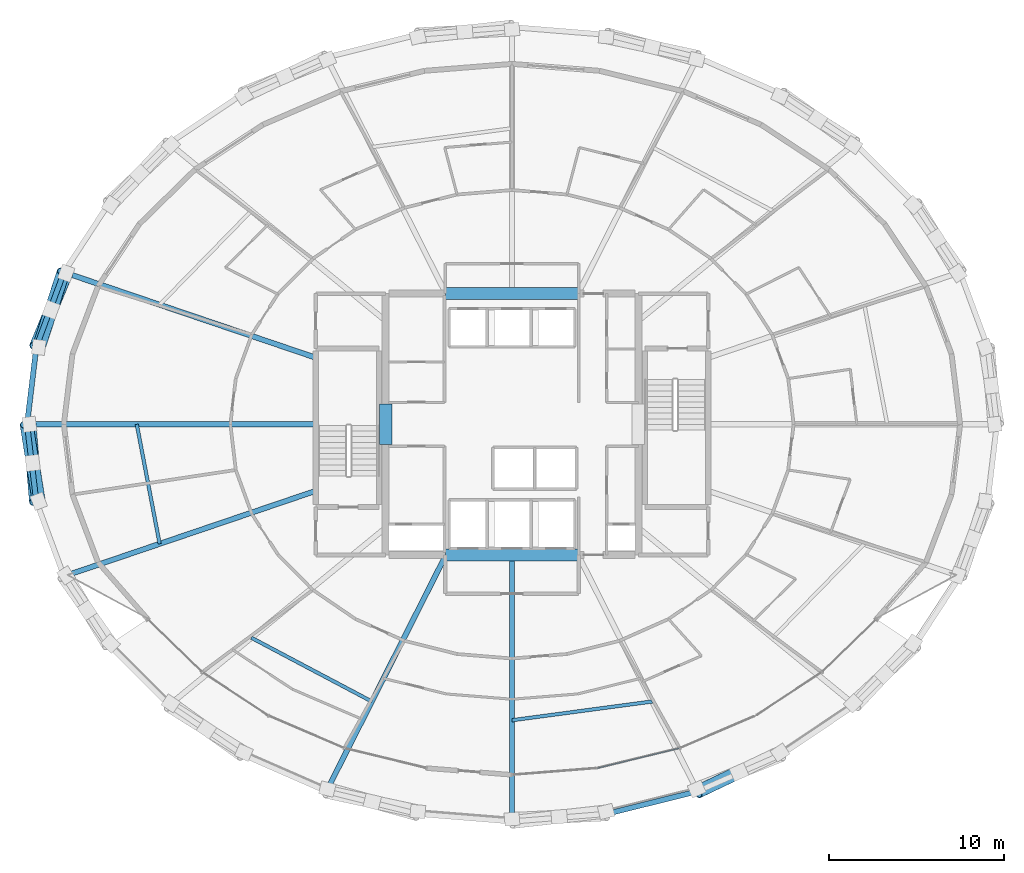
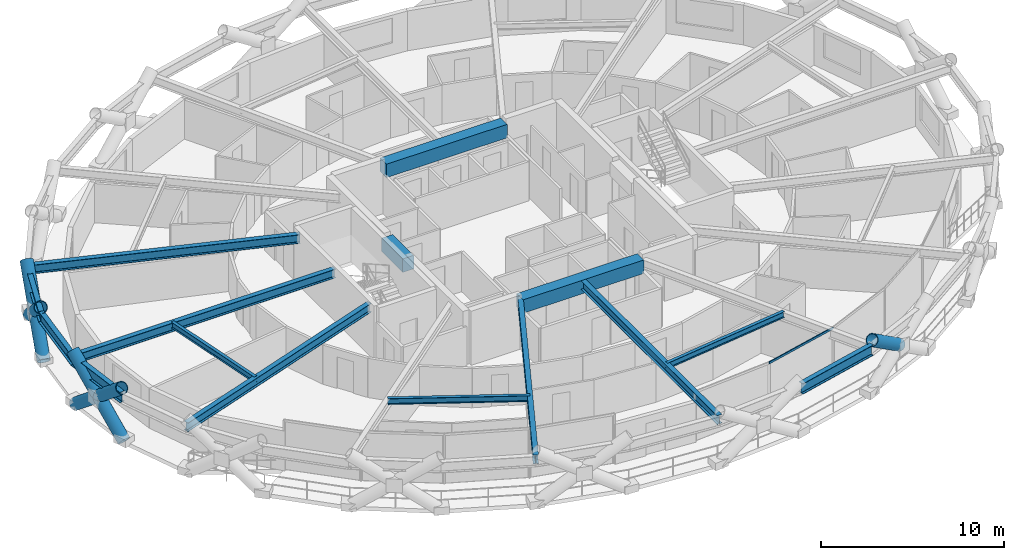
# One storey, part 5 of 17: 15 beams, 8 members, 1 element without a shape of its own.
"""IFC4 building model written with IfcOpenShell, lengths in metres."""

from ifc_helpers import new_model, si_unit, direction, frame, origin, origin_2d, place, context, subcontext, project, spatial, rectangle, hollow_rectangle, hollow_circle, i_section, extrude, material, layer, layer_set, material_profile, profile_set, type_object, element, aggregate, save


model = new_model("IFC4")

# Units and contexts
model_context = context("Model", 3, precision=1e-05, world=origin(), true_north=direction((0.0, 1.0)))
body_context = subcontext(model_context, "Body", "Model", "MODEL_VIEW")
ifc_project = project(units=[si_unit("LENGTHUNIT", "METRE"), si_unit("AREAUNIT", "SQUARE_METRE"), si_unit("VOLUMEUNIT", "CUBIC_METRE"), si_unit("PLANEANGLEUNIT", "RADIAN"), si_unit("MASSUNIT", "GRAM", prefix="KILO")], contexts=[model_context])

# Site, building, storey
site_placement = place(None, origin())
site = spatial("IfcSite", under=ifc_project, at=site_placement, CompositionType="ELEMENT")
building_placement = place(site_placement, origin())
building = spatial("IfcBuilding", under=site, at=building_placement, Name="Veldorina Hangang Commons", CompositionType="ELEMENT")
storey_placement = place(building_placement, frame((0.0, 0.0, 30.39990234375)))
storey = spatial("IfcBuildingStorey", under=building, at=storey_placement, Name="L06", CompositionType="ELEMENT", Elevation=30.39990234375)

# Beams
ifc_material_1 = material(Name="Concrete C70/85", Category="concrete")
ifc_material_profile_1 = material_profile(ifc_material_1, rectangle(XDim=0.699951171875, YDim=0.89990234375, at=origin_2d()), Name="RC-CB-700x900")
ifc_profile_set_1 = profile_set([ifc_material_profile_1], Name="Concrete C70/85")
beam_type_1 = type_object("IfcBeamType", Name="BM-CB900", PredefinedType="LINTEL", material=ifc_profile_set_1)
beam_1_placement = place(storey_placement, frame((24.800048828125, 22.85009765625, 2.89013671875), z_axis=(0.0, 1.0, 0.0), x_axis=(-1.0, 0.0, 0.0)))
element("IfcBeam", 1, at=beam_1_placement, inside=storey, type_object=beam_type_1, Name="L06 W core coupling lintel beam", PredefinedType="LINTEL", context=body_context, shape_type="SweptSolid", body=[
    extrude(rectangle(XDim=0.699951171875, YDim=0.89990234375, at=origin_2d()), origin(), (0.0, 0.0, 1.0), 2.2998046875),
])
for number, where, z_axis, x_axis, name in (
    (2, (28.199951171875, 16.550048828125, 2.89013671875), (1.0, 0.0, 0.0), (0.0, 1.0, 0.0), "L06 south core coupling beam"),
    (3, (28.199951171875, 31.449951171875, 2.89013671875), (1.0, 0.0, 0.0), (0.0, 1.0, 0.0), "L06 north core coupling beam"),
):
    element("IfcBeam", number, at=place(storey_placement, frame(where, z_axis=z_axis, x_axis=x_axis)), inside=storey, type_object=beam_type_1, Name=name, PredefinedType="LINTEL", context=body_context, shape_type="SweptSolid", body=[
        extrude(rectangle(XDim=0.699951171875, YDim=0.89990234375, at=origin_2d()), origin(), (0.0, 0.0, 1.0), 7.60009765625),
    ])
ifc_material_2 = material(Name="Steel SM460-TMC", Category="steel")
ifc_material_profile_2 = material_profile(ifc_material_2, i_section(OverallWidth=0.300048828125, OverallDepth=0.587890625, WebThickness=0.011962890625, FlangeThickness=0.02001953125, FilletRadius=0.01806640625, at=origin_2d()), Name="H-588x300x12x20")
ifc_profile_set_2 = profile_set([ifc_material_profile_2], Name="Steel SM460-TMC")
beam_type_2 = type_object("IfcBeamType", Name="BM-FG588", PredefinedType="BEAM", material=ifc_profile_set_2)
beam_2_placement = place(storey_placement, frame((20.820068359375, 27.793212890625, 3.046142578125), z_axis=(-0.946978700315, 0.32129634475, 0.0), x_axis=(-0.32129634475, -0.946978700315, 0.0)))
element("IfcBeam", 4, at=beam_2_placement, inside=storey, type_object=beam_type_2, Name="L06 radial floor girder 08", PredefinedType="BEAM", context=body_context, shape_type="SweptSolid", body=[
    extrude(i_section(OverallWidth=0.300048828125, OverallDepth=0.587890625, WebThickness=0.011962890625, FlangeThickness=0.02001953125, FilletRadius=0.01806640625, at=origin_2d()), origin(), (0.0, 0.0, 1.0), 15.1591796875),
])
beam_3_placement = place(storey_placement, frame((20.820068359375, 24.0, 3.046142578125), z_axis=(-1.0, 0.0, 0.0), x_axis=(0.0, -1.0, 0.0)))
element("IfcBeam", 5, at=beam_3_placement, inside=storey, type_object=beam_type_2, Name="L06 radial floor girder 09", PredefinedType="BEAM", context=body_context, shape_type="SweptSolid", body=[
    extrude(i_section(OverallWidth=0.300048828125, OverallDepth=0.587890625, WebThickness=0.011962890625, FlangeThickness=0.02001953125, FilletRadius=0.01806640625, at=origin_2d()), origin(), (0.0, 0.0, 1.0), 16.45947265625),
])
beam_4_placement = place(storey_placement, frame((20.820068359375, 20.206787109375, 3.046142578125), z_axis=(-0.946978700315, -0.32129634475, 0.0), x_axis=(0.32129634475, -0.946978700315, 0.0)))
element("IfcBeam", 6, at=beam_4_placement, inside=storey, type_object=beam_type_2, Name="L06 radial floor girder 10", PredefinedType="BEAM", context=body_context, shape_type="SweptSolid", body=[
    extrude(i_section(OverallWidth=0.300048828125, OverallDepth=0.587890625, WebThickness=0.011962890625, FlangeThickness=0.02001953125, FilletRadius=0.01806640625, at=origin_2d()), origin(), (0.0, 0.0, 1.0), 15.1591796875),
])
beam_5_placement = place(storey_placement, frame((28.232666015625, 16.550048828125, 3.046142578125), z_axis=(-0.451279589077, -0.89238261552, 0.0), x_axis=(0.89238261552, -0.451279589077, 0.0)))
element("IfcBeam", 7, at=beam_5_placement, inside=storey, type_object=beam_type_2, Name="L06 radial floor girder 12", PredefinedType="BEAM", context=body_context, shape_type="SweptSolid", body=[
    extrude(i_section(OverallWidth=0.300048828125, OverallDepth=0.587890625, WebThickness=0.011962890625, FlangeThickness=0.02001953125, FilletRadius=0.01806640625, at=origin_2d()), origin(), (0.0, 0.0, 1.0), 15.090087890625),
])
beam_6_placement = place(storey_placement, frame((32.0, 16.550048828125, 3.046142578125), z_axis=(0.0, -1.0, 0.0), x_axis=(1.0, 0.0, 0.0)))
element("IfcBeam", 8, at=beam_6_placement, inside=storey, type_object=beam_type_2, Name="L06 radial floor girder 13", PredefinedType="BEAM", context=body_context, shape_type="SweptSolid", body=[
    extrude(i_section(OverallWidth=0.300048828125, OverallDepth=0.587890625, WebThickness=0.011962890625, FlangeThickness=0.02001953125, FilletRadius=0.01806640625, at=origin_2d()), origin(), (0.0, 0.0, 1.0), 15.189453125),
])
ifc_material_3 = material(Name="Steel SM355-TMC", Category="steel")
ifc_material_profile_3 = material_profile(ifc_material_3, i_section(OverallWidth=0.199951171875, OverallDepth=0.39990234375, WebThickness=0.008056640625, FlangeThickness=0.012939453125, FilletRadius=0.012939453125, at=origin_2d()), Name="H-400x200x8x13")
ifc_profile_set_3 = profile_set([ifc_material_profile_3], Name="Steel SM355-TMC")
beam_type_3 = type_object("IfcBeamType", Name="BM-JST400", PredefinedType="JOIST", material=ifc_profile_set_3)
beam_7_placement = place(storey_placement, frame((10.614990234375, 24.0, 3.14013671875), z_axis=(0.188082383593, -0.982153255344, 0.0), x_axis=(0.982153255344, 0.188082383593, 0.0)))
element("IfcBeam", 9, at=beam_7_placement, inside=storey, type_object=beam_type_3, Name="L06 secondary floor joist 09", PredefinedType="JOIST", context=body_context, shape_type="SweptSolid", body=[
    extrude(i_section(OverallWidth=0.199951171875, OverallDepth=0.39990234375, WebThickness=0.008056640625, FlangeThickness=0.012939453125, FilletRadius=0.012939453125, at=origin_2d()), origin(), (0.0, 0.0, 1.0), 6.936767578125),
])
beam_8_placement = place(storey_placement, frame((17.146728515625, 11.833740234375, 3.14013671875), z_axis=(0.883838381395, -0.467792385116, 0.0), x_axis=(0.467792385116, 0.883838381395, 0.0)))
element("IfcBeam", 10, at=beam_8_placement, inside=storey, type_object=beam_type_3, Name="L06 secondary floor joist 11", PredefinedType="JOIST", context=body_context, shape_type="SweptSolid", body=[
    extrude(i_section(OverallWidth=0.199951171875, OverallDepth=0.39990234375, WebThickness=0.008056640625, FlangeThickness=0.012939453125, FilletRadius=0.012939453125, at=origin_2d()), origin(), (0.0, 0.0, 1.0), 7.765869140625),
])
beam_9_placement = place(storey_placement, frame((32.0, 7.132568359375, 3.14013671875), z_axis=(0.991177569305, 0.132540658313, 0.0), x_axis=(-0.132540658313, 0.991177569305, 0.0)))
element("IfcBeam", 11, at=beam_9_placement, inside=storey, type_object=beam_type_3, Name="L06 secondary floor joist 13", PredefinedType="JOIST", context=body_context, shape_type="SweptSolid", body=[
    extrude(i_section(OverallWidth=0.199951171875, OverallDepth=0.39990234375, WebThickness=0.008056640625, FlangeThickness=0.012939453125, FilletRadius=0.012939453125, at=origin_2d()), origin(), (0.0, 0.0, 1.0), 8.060546875),
])
ifc_material_profile_4 = material_profile(ifc_material_2, i_section(OverallWidth=0.300048828125, OverallDepth=0.699951171875, WebThickness=0.012939453125, FlangeThickness=0.02392578125, FilletRadius=0.02197265625, at=origin_2d()), Name="H-700x300x13x24")
ifc_profile_set_4 = profile_set([ifc_material_profile_4], Name="Steel SM460-TMC")
beam_type_4 = type_object("IfcBeamType", Name="BM-RB700", PredefinedType="BEAM", material=ifc_profile_set_4)
beam_10_placement = place(storey_placement, frame((6.464599609375, 32.663818359375, 2.989990234375), z_axis=(-0.347316111506, -0.937748110469, 0.0), x_axis=(0.937748110469, -0.347316111506, 0.0)))
element("IfcBeam", 12, at=beam_10_placement, inside=storey, type_object=beam_type_4, Name="L06 perimeter hoop ring beam 14", PredefinedType="BEAM", context=body_context, shape_type="SweptSolid", body=[
    extrude(i_section(OverallWidth=0.300048828125, OverallDepth=0.699951171875, WebThickness=0.012939453125, FlangeThickness=0.02392578125, FilletRadius=0.02197265625, at=origin_2d()), origin(), (0.0, 0.0, 1.0), 4.529052734375),
])
for number, where, z_axis, x_axis, name in (
    (13, (4.8916015625, 28.416748046875, 2.989990234375), (-0.119365953147, -0.992850325693, 0.0), (0.992850325693, -0.119365953147, 0.0), "L06 perimeter hoop ring beam 15"),
    (14, (4.360595703125, 24.0, 2.989990234375), (0.119365953147, -0.992850325693, 0.0), (0.992850325693, 0.119365953147, 0.0), "L06 perimeter hoop ring beam 16"),
):
    element("IfcBeam", number, at=place(storey_placement, frame(where, z_axis=z_axis, x_axis=x_axis)), inside=storey, type_object=beam_type_4, Name=name, PredefinedType="BEAM", context=body_context, shape_type="SweptSolid", body=[
        extrude(i_section(OverallWidth=0.300048828125, OverallDepth=0.699951171875, WebThickness=0.012939453125, FlangeThickness=0.02392578125, FilletRadius=0.02197265625, at=origin_2d()), origin(), (0.0, 0.0, 1.0), 4.448486328125),
    ])
beam_11_placement = place(storey_placement, frame((37.39208984375, 1.795654296875, 2.989990234375), z_axis=(0.970490932958, 0.241137614334, 0.0), x_axis=(-0.241137614334, 0.970490932958, 0.0)))
element("IfcBeam", 15, at=beam_11_placement, inside=storey, type_object=beam_type_4, Name="L06 perimeter hoop ring beam 25", PredefinedType="BEAM", context=body_context, shape_type="SweptSolid", body=[
    extrude(i_section(OverallWidth=0.300048828125, OverallDepth=0.699951171875, WebThickness=0.012939453125, FlangeThickness=0.02392578125, FilletRadius=0.02197265625, at=origin_2d()), origin(), (0.0, 0.0, 1.0), 5.3427734375),
])

# Curtain wall, member
ifc_material_4 = material(Name="Glass Low-E Triple IGU", Category="glass")
ifc_layer = layer(ifc_material_4, 0.179931640625)
ifc_layer_set = layer_set([ifc_layer], Name="Glass Low-E Triple IGU")
curtain_wall_type = type_object("IfcCurtainWallType", Name="CW-SYS-Z1", PredefinedType="NOTDEFINED", material=ifc_layer_set)
curtain_wall_placement = place(storey_placement, origin())
curtain_wall = element("IfcCurtainWall", 16, at=curtain_wall_placement, inside=storey, type_object=curtain_wall_type, Name="L06 unitised curtain wall CW-L06-R2", PredefinedType="NOTDEFINED")
ifc_material_5 = material(Name="Aluminium Anodized AA6063-T6", Category="aluminium")
ifc_material_profile_5 = material_profile(ifc_material_5, hollow_rectangle(XDim=0.06005859375, YDim=0.139892578125, WallThickness=0.00341796875, at=origin_2d()), Name="ALU-RHS-140x60x3.5")
ifc_profile_set_5 = profile_set([ifc_material_profile_5], Name="Aluminium Anodized AA6063-T6")
member_type_1 = type_object("IfcMemberType", Name="CW-TRN-140", PredefinedType="USERDEFINED", material=ifc_profile_set_5)
member_1_placement = place(storey_placement, frame((36.873291015625, 4.40380859375, 3.260009765625), z_axis=(0.971793167931, 0.235834770044, 0.0), x_axis=(-0.235834770044, 0.971793167931, 0.0)))
member_1 = element("IfcMember", 17, at=member_1_placement, type_object=member_type_1, Name="CW-L06-R2 facet 2 transom 1", ObjectType="TRANSOM", PredefinedType="USERDEFINED", context=body_context, shape_type="SweptSolid", body=[
    extrude(hollow_rectangle(XDim=0.06005859375, YDim=0.139892578125, WallThickness=0.00341796875, at=origin_2d()), origin(), (0.0, 0.0, 1.0), 4.822021484375),
])
aggregate(curtain_wall, [member_1])

# Members
ifc_material_profile_6 = material_profile(ifc_material_2, hollow_circle(Radius=0.375, WallThickness=0.035888671875, at=origin_2d()), Name="CHS-750x36")
ifc_profile_set_6 = profile_set([ifc_material_profile_6], Name="Steel SM460-TMC")
member_type_2 = type_object("IfcMemberType", Name="DG-CHS750", PredefinedType="BRACE", material=ifc_profile_set_6)
member_2_placement = place(storey_placement, frame((6.59326171875, 32.6103515625, 0.0), z_axis=(-0.298850474073, -0.723670388516, 0.622084851874), x_axis=(0.924287049223, -0.381698114533, 0.0)))
element("IfcMember", 18, at=member_2_placement, inside=storey, type_object=member_type_2, Name="L06 continuous perimeter diagrid brace 14", PredefinedType="BRACE", context=body_context, shape_type="SweptSolid", body=[
    extrude(hollow_circle(Radius=0.375, WallThickness=0.035888671875, at=origin_2d()), origin(), (0.0, 0.0, 1.0), 5.787109375),
])
member_3_placement = place(storey_placement, frame((5.0283203125, 28.389404296875, 0.0), z_axis=(0.244610941935, 0.742323313202, 0.623796109127), x_axis=(-0.949764014074, 0.31296695923, 0.0)))
element("IfcMember", 19, at=member_3_placement, inside=storey, type_object=member_type_2, Name="L06 split perimeter diagrid lower brace 15", PredefinedType="BRACE", context=body_context, shape_type="SweptSolid", body=[
    extrude(hollow_circle(Radius=0.375, WallThickness=0.035888671875, at=origin_2d()), origin(), (0.0, 0.0, 1.0), 2.87548828125),
])
member_4_placement = place(storey_placement, frame((5.731689453125, 30.52392578125, 1.793701171875), z_axis=(0.243962055147, 0.742592171315, 0.62373021632), x_axis=(-0.950044084712, 0.312115743121, 0.0)))
element("IfcMember", 20, at=member_4_placement, inside=storey, type_object=member_type_2, Name="L06 split perimeter diagrid upper brace 15", PredefinedType="BRACE", context=body_context, shape_type="SweptSolid", body=[
    extrude(hollow_circle(Radius=0.375, WallThickness=0.035888671875, at=origin_2d()), origin(), (0.0, 0.0, 1.0), 2.896240234375),
])
member_5_placement = place(storey_placement, frame((4.5, 24.0, 0.0), z_axis=(0.063662332065, -0.773945961756, 0.630043455452), x_axis=(0.996633979688, 0.081979939811, 0.0)))
element("IfcMember", 21, at=member_5_placement, inside=storey, type_object=member_type_2, Name="L06 continuous perimeter diagrid brace 16", PredefinedType="BRACE", context=body_context, shape_type="SweptSolid", body=[
    extrude(hollow_circle(Radius=0.375, WallThickness=0.035888671875, at=origin_2d()), origin(), (0.0, 0.0, 1.0), 5.714111328125),
])
member_6_placement = place(storey_placement, frame((5.0283203125, 19.610595703125, 0.0), z_axis=(-0.121847841706, 0.767418614851, 0.629461494495), x_axis=(-0.987628481101, -0.156811936146, 0.0)))
element("IfcMember", 22, at=member_6_placement, inside=storey, type_object=member_type_2, Name="L06 split perimeter diagrid lower brace 17", PredefinedType="BRACE", context=body_context, shape_type="SweptSolid", body=[
    extrude(hollow_circle(Radius=0.375, WallThickness=0.035888671875, at=origin_2d()), origin(), (0.0, 0.0, 1.0), 2.84912109375),
])
member_7_placement = place(storey_placement, frame((4.68115234375, 21.797119140625, 1.79345703125), z_axis=(-0.121633020091, 0.76747883936, 0.629429614459), x_axis=(-0.9876731619, -0.15653026948, 0.0)))
element("IfcMember", 23, at=member_7_placement, inside=storey, type_object=member_type_2, Name="L06 split perimeter diagrid upper brace 17", PredefinedType="BRACE", context=body_context, shape_type="SweptSolid", body=[
    extrude(hollow_circle(Radius=0.375, WallThickness=0.035888671875, at=origin_2d()), origin(), (0.0, 0.0, 1.0), 2.870361328125),
])
member_8_placement = place(storey_placement, frame((44.93994140625, 4.179443359375, 1.79443359375), z_axis=(-0.741892141946, -0.353850362491, 0.569548918604), x_axis=(0.430497184259, -0.902591920164, 0.0)))
element("IfcMember", 24, at=member_8_placement, inside=storey, type_object=member_type_2, Name="L06 split perimeter diagrid upper brace 27", PredefinedType="BRACE", context=body_context, shape_type="SweptSolid", body=[
    extrude(hollow_circle(Radius=0.375, WallThickness=0.035888671875, at=origin_2d()), origin(), (0.0, 0.0, 1.0), 3.17041015625),
])

save(model, "model.ifc")
